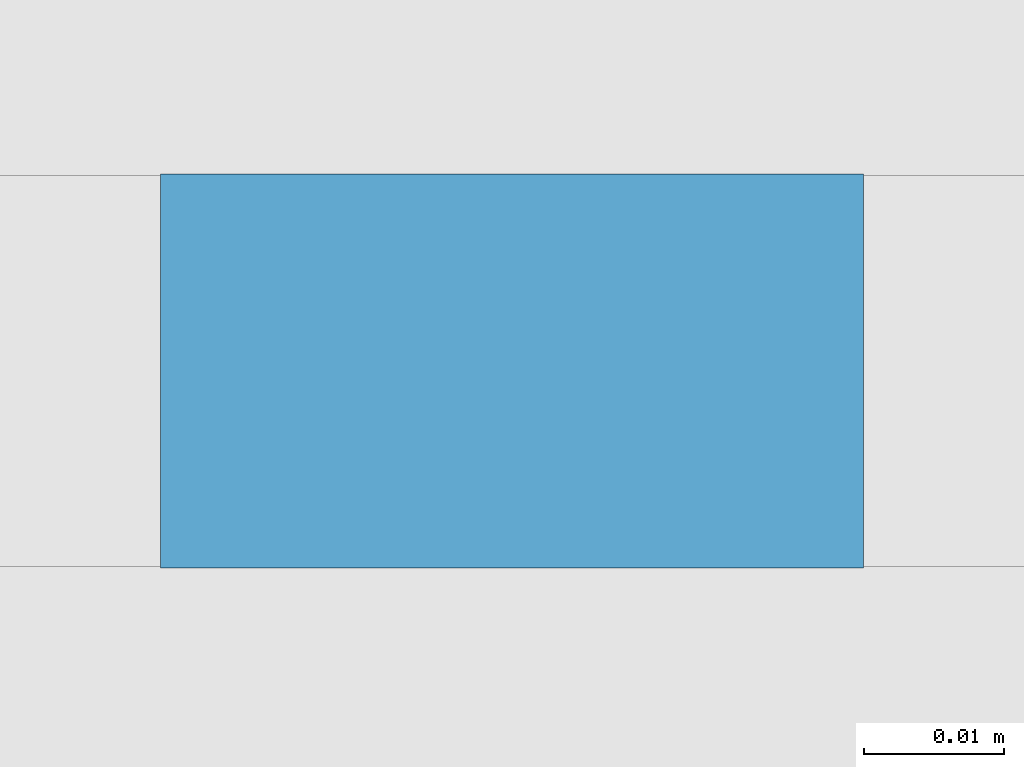
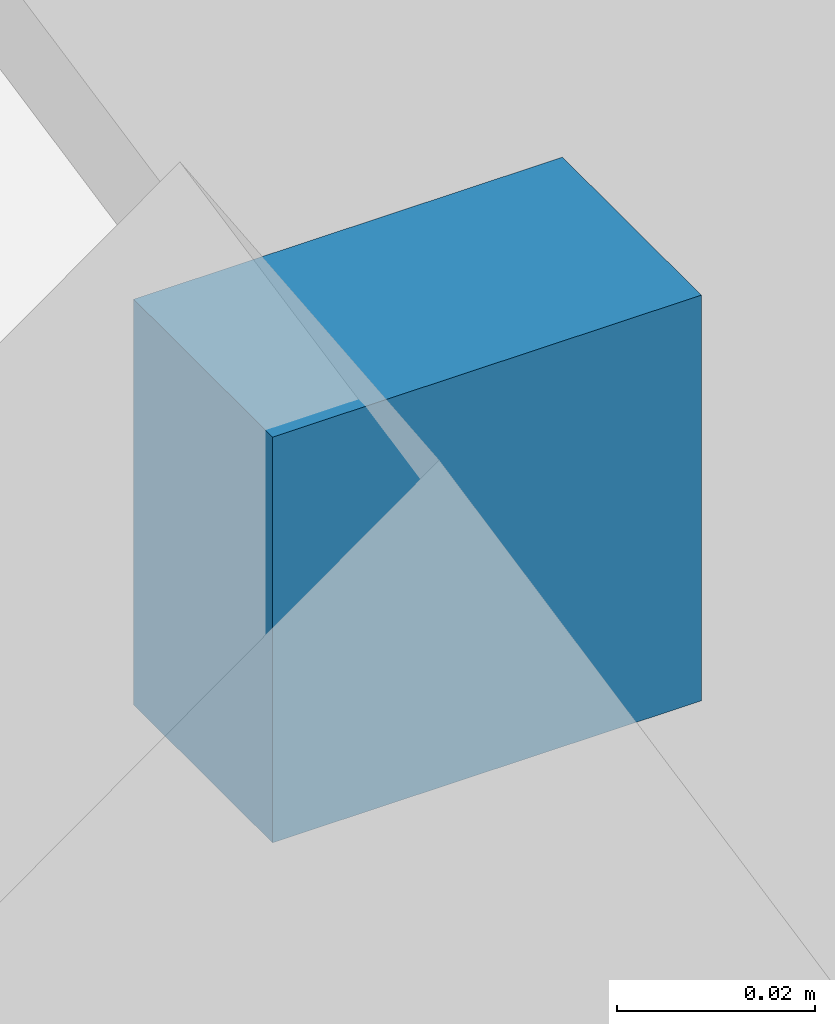
# One storey, part 11 of 15: 1 discrete accessory, 1 element without a shape of its own.
"""IFC4 building model written with IfcOpenShell, lengths in metres."""

from ifc_helpers import new_model, si_unit, direction, frame, origin, origin_2d, place, context, subcontext, project, spatial, rectangle, extrude, material, type_object, element, aggregate, save


model = new_model("IFC4")

# Units and contexts
model_context = context("Model", 3, precision=1e-05, world=origin(), true_north=direction((0.0, 1.0)))
body_context = subcontext(model_context, "Body", "Model", "MODEL_VIEW")
ifc_project = project(units=[si_unit("LENGTHUNIT", "METRE"), si_unit("AREAUNIT", "SQUARE_METRE"), si_unit("VOLUMEUNIT", "CUBIC_METRE"), si_unit("PLANEANGLEUNIT", "RADIAN"), si_unit("MASSUNIT", "GRAM", prefix="KILO")], contexts=[model_context])

# Site, building, storey
site_placement = place(None, origin())
site = spatial("IfcSite", under=ifc_project, at=site_placement, CompositionType="ELEMENT")
building_placement = place(site_placement, origin())
building = spatial("IfcBuilding", under=site, at=building_placement, Name="Tessera Arch", CompositionType="ELEMENT")
storey_placement = place(building_placement, frame((0.0, 0.0, 285.199951171875)))
storey = spatial("IfcBuildingStorey", under=building, at=storey_placement, Name="L69", CompositionType="ELEMENT", Elevation=285.199951171875)

# Curtain wall, discrete accessory
ifc_material = material(Name="CW3 curtain wall")
curtain_wall_type = type_object("IfcCurtainWallType", Name="CW3 curtain wall", PredefinedType="NOTDEFINED", material=ifc_material)
curtain_wall_placement = place(storey_placement, origin())
curtain_wall = element("IfcCurtainWall", 1, at=curtain_wall_placement, inside=storey, type_object=curtain_wall_type, Name="CW3 curtain wall S27.18/1 L69", PredefinedType="NOTDEFINED")
discrete_accessory_placement = place(storey_placement, frame((31.966796875, 26.9560546875, 0.794921875), z_axis=(0.0, 0.0, 1.0), x_axis=(1.0, 0.0, 0.0)))
discrete_accessory = element("IfcDiscreteAccessory", 2, at=discrete_accessory_placement, Name="Glazing bracket", PredefinedType="BRACKET", context=body_context, shape_type="SweptSolid", body=[
    extrude(rectangle(XDim=0.050048828125, YDim=0.028076171875, at=origin_2d()), origin(), (0.0, 0.0, 1.0), 0.050048828125),
])
aggregate(curtain_wall, [discrete_accessory])

save(model, "model.ifc")
